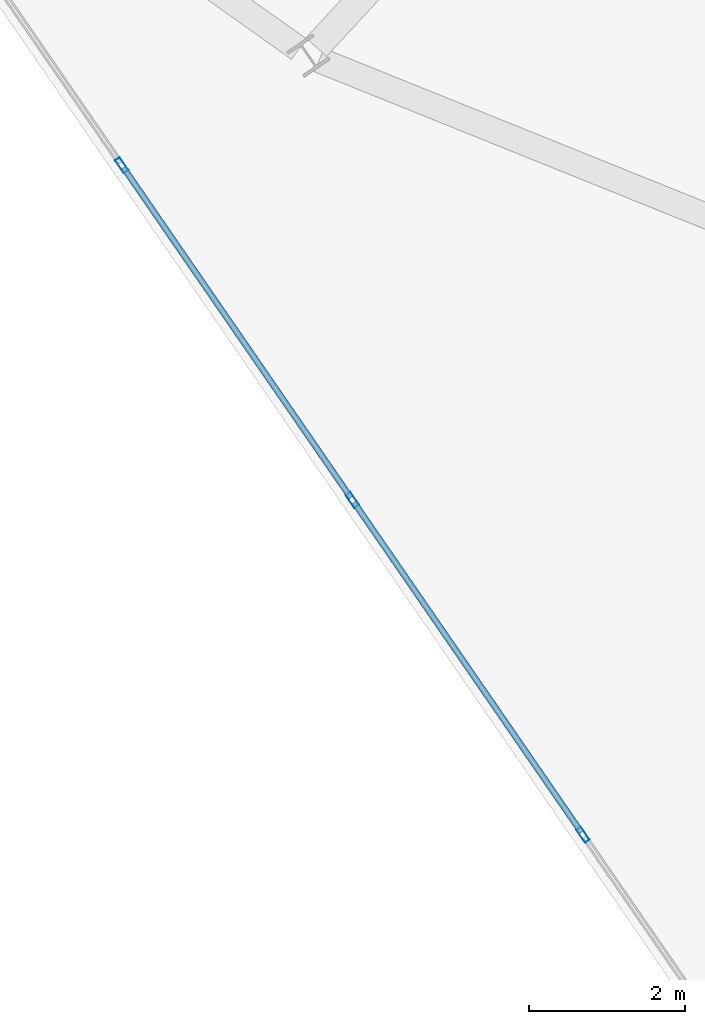
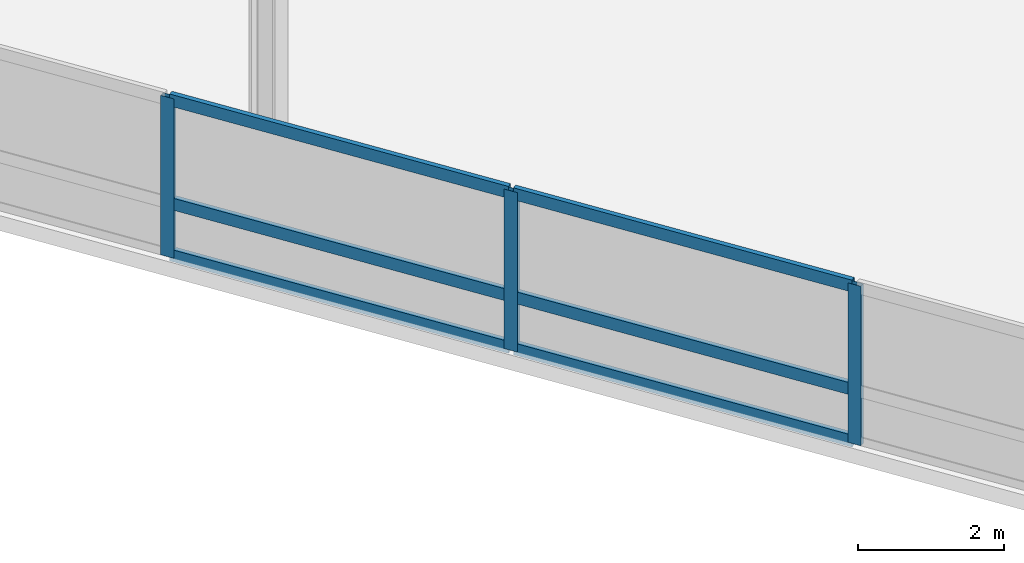
# One storey, part 3 of 23: 9 members, 1 element without a shape of its own.
"""IFC4 building model written with IfcOpenShell, lengths in metres."""

from ifc_helpers import new_model, si_unit, direction, frame, origin, origin_2d, place, context, subcontext, project, spatial, hollow_rectangle, extrude, material, layer, layer_set, material_profile, profile_set, type_object, element, aggregate, save


model = new_model("IFC4")

# Units and contexts
model_context = context("Model", 3, precision=1e-05, world=origin(), true_north=direction((0.0, 1.0)))
body_context = subcontext(model_context, "Body", "Model", "MODEL_VIEW")
ifc_project = project(units=[si_unit("LENGTHUNIT", "METRE"), si_unit("AREAUNIT", "SQUARE_METRE"), si_unit("VOLUMEUNIT", "CUBIC_METRE"), si_unit("PLANEANGLEUNIT", "RADIAN"), si_unit("MASSUNIT", "GRAM", prefix="KILO")], contexts=[model_context])

# Site, building, storey
site_placement = place(None, origin())
site = spatial("IfcSite", under=ifc_project, at=site_placement, CompositionType="ELEMENT")
building_placement = place(site_placement, origin())
building = spatial("IfcBuilding", under=site, at=building_placement, Name="Varnelok Gate Tower", CompositionType="ELEMENT")
storey_placement = place(building_placement, frame((0.0, 0.0, 287.800048828125)))
storey = spatial("IfcBuildingStorey", under=building, at=storey_placement, Name="L74", CompositionType="ELEMENT", Elevation=287.800048828125)

# Curtain wall, members
ifc_material = material(Name="Anodized Aluminum Alloy 6063-T6", Category="aluminium")
ifc_layer = layer(ifc_material, 0.179931640625)
ifc_layer_set = layer_set([ifc_layer], Name="Anodized Aluminum Alloy 6063-T6")
curtain_wall_type = type_object("IfcCurtainWallType", Name="CW6-CROWN-LOOKOUT", PredefinedType="USERDEFINED", material=ifc_layer_set)
curtain_wall_placement = place(storey_placement, origin())
curtain_wall = element("IfcCurtainWall", 1, at=curtain_wall_placement, inside=storey, type_object=curtain_wall_type, Name="L74 West End Vision Curtain Wall", ObjectType="STRUCTURAL GLAZING", PredefinedType="USERDEFINED")
ifc_material_profile_1 = material_profile(ifc_material, hollow_rectangle(XDim=0.074951171875, YDim=0.199951171875, WallThickness=0.00390625, at=origin_2d()), Name="ALU200X75X4")
ifc_profile_set_1 = profile_set([ifc_material_profile_1], Name="Anodized Aluminum Alloy 6063-T6")
member_type_1 = type_object("IfcMemberType", Name="CW-MULL-200", PredefinedType="MULLION", material=ifc_profile_set_1)
member_1_placement = place(storey_placement, frame((17.9560546875, -1.9619140625, 0.0), z_axis=(0.0, 0.0, 1.0), x_axis=(-0.823532290241, -0.567269395376, 0.0)))
member_1 = element("IfcMember", 2, at=member_1_placement, type_object=member_type_1, Name="CW6 mullion 2", PredefinedType="MULLION", context=body_context, shape_type="SweptSolid", body=[
    extrude(hollow_rectangle(XDim=0.074951171875, YDim=0.199951171875, WallThickness=0.00390625, at=origin_2d()), origin(), (0.0, 0.0, 1.0), 2.659912109375),
])
member_2_placement = place(storey_placement, frame((15.006103515625, 2.3203125, 0.0), z_axis=(0.0, 0.0, 1.0), x_axis=(-0.823532290241, -0.567269395376, 0.0)))
member_2 = element("IfcMember", 3, at=member_2_placement, type_object=member_type_1, Name="CW6 mullion 3", PredefinedType="MULLION", context=body_context, shape_type="SweptSolid", body=[
    extrude(hollow_rectangle(XDim=0.074951171875, YDim=0.199951171875, WallThickness=0.00390625, at=origin_2d()), origin(), (0.0, 0.0, 1.0), 2.659912109375),
])
member_3_placement = place(storey_placement, frame((12.056396484375, 6.602783203125, 0.0), z_axis=(0.0, 0.0, 1.0), x_axis=(-0.823532290241, -0.567269395376, 0.0)))
member_3 = element("IfcMember", 4, at=member_3_placement, type_object=member_type_1, Name="CW6 mullion 4", PredefinedType="MULLION", context=body_context, shape_type="SweptSolid", body=[
    extrude(hollow_rectangle(XDim=0.074951171875, YDim=0.199951171875, WallThickness=0.00390625, at=origin_2d()), origin(), (0.0, 0.0, 1.0), 2.659912109375),
])
ifc_material_profile_2 = material_profile(ifc_material, hollow_rectangle(XDim=0.074951171875, YDim=0.199951171875, WallThickness=0.00390625, at=origin_2d()), Name="ALU200X75X4")
ifc_profile_set_2 = profile_set([ifc_material_profile_2], Name="Anodized Aluminum Alloy 6063-T6")
member_type_2 = type_object("IfcMemberType", Name="CW-TRAN-200", PredefinedType="USERDEFINED", material=ifc_profile_set_2)
member_4_placement = place(storey_placement, frame((17.934814453125, -1.93115234375, 0.037353515625), z_axis=(-0.567256418128, 0.82354122914, 0.0), x_axis=(-0.82354122914, -0.567256418128, 0.0)))
member_4 = element("IfcMember", 5, at=member_4_placement, type_object=member_type_2, Name="CW6 transom 2.1", ObjectType="TRANSOM", PredefinedType="USERDEFINED", context=body_context, shape_type="SweptSolid", body=[
    extrude(hollow_rectangle(XDim=0.074951171875, YDim=0.199951171875, WallThickness=0.00390625, at=origin_2d()), origin(), (0.0, 0.0, 1.0), 5.125),
])
member_5_placement = place(storey_placement, frame((17.934814453125, -1.93115234375, 0.89990234375), z_axis=(-0.567256418128, 0.82354122914, 0.0), x_axis=(-0.82354122914, -0.567256418128, 0.0)))
member_5 = element("IfcMember", 6, at=member_5_placement, type_object=member_type_2, Name="CW6 transom 2.2", ObjectType="TRANSOM", PredefinedType="USERDEFINED", context=body_context, shape_type="SweptSolid", body=[
    extrude(hollow_rectangle(XDim=0.074951171875, YDim=0.199951171875, WallThickness=0.00390625, at=origin_2d()), origin(), (0.0, 0.0, 1.0), 5.125),
])
member_6_placement = place(storey_placement, frame((17.934814453125, -1.93115234375, 2.62255859375), z_axis=(-0.567256418128, 0.82354122914, 0.0), x_axis=(-0.82354122914, -0.567256418128, 0.0)))
member_6 = element("IfcMember", 7, at=member_6_placement, type_object=member_type_2, Name="CW6 transom 2.3", ObjectType="TRANSOM", PredefinedType="USERDEFINED", context=body_context, shape_type="SweptSolid", body=[
    extrude(hollow_rectangle(XDim=0.074951171875, YDim=0.199951171875, WallThickness=0.00390625, at=origin_2d()), origin(), (0.0, 0.0, 1.0), 5.125),
])
member_7_placement = place(storey_placement, frame((14.98486328125, 2.351318359375, 0.037353515625), z_axis=(-0.567256418128, 0.82354122914, 0.0), x_axis=(-0.82354122914, -0.567256418128, 0.0)))
member_7 = element("IfcMember", 8, at=member_7_placement, type_object=member_type_2, Name="CW6 transom 3.1", ObjectType="TRANSOM", PredefinedType="USERDEFINED", context=body_context, shape_type="SweptSolid", body=[
    extrude(hollow_rectangle(XDim=0.074951171875, YDim=0.199951171875, WallThickness=0.00390625, at=origin_2d()), origin(), (0.0, 0.0, 1.0), 5.125),
])
member_8_placement = place(storey_placement, frame((14.98486328125, 2.351318359375, 0.89990234375), z_axis=(-0.567256418128, 0.82354122914, 0.0), x_axis=(-0.82354122914, -0.567256418128, 0.0)))
member_8 = element("IfcMember", 9, at=member_8_placement, type_object=member_type_2, Name="CW6 transom 3.2", ObjectType="TRANSOM", PredefinedType="USERDEFINED", context=body_context, shape_type="SweptSolid", body=[
    extrude(hollow_rectangle(XDim=0.074951171875, YDim=0.199951171875, WallThickness=0.00390625, at=origin_2d()), origin(), (0.0, 0.0, 1.0), 5.125),
])
member_9_placement = place(storey_placement, frame((14.98486328125, 2.351318359375, 2.62255859375), z_axis=(-0.567256418128, 0.82354122914, 0.0), x_axis=(-0.82354122914, -0.567256418128, 0.0)))
member_9 = element("IfcMember", 10, at=member_9_placement, type_object=member_type_2, Name="CW6 transom 3.3", ObjectType="TRANSOM", PredefinedType="USERDEFINED", context=body_context, shape_type="SweptSolid", body=[
    extrude(hollow_rectangle(XDim=0.074951171875, YDim=0.199951171875, WallThickness=0.00390625, at=origin_2d()), origin(), (0.0, 0.0, 1.0), 5.125),
])
aggregate(curtain_wall, [member_1, member_2, member_3, member_4, member_5, member_6, member_7, member_8, member_9])

save(model, "model.ifc")
